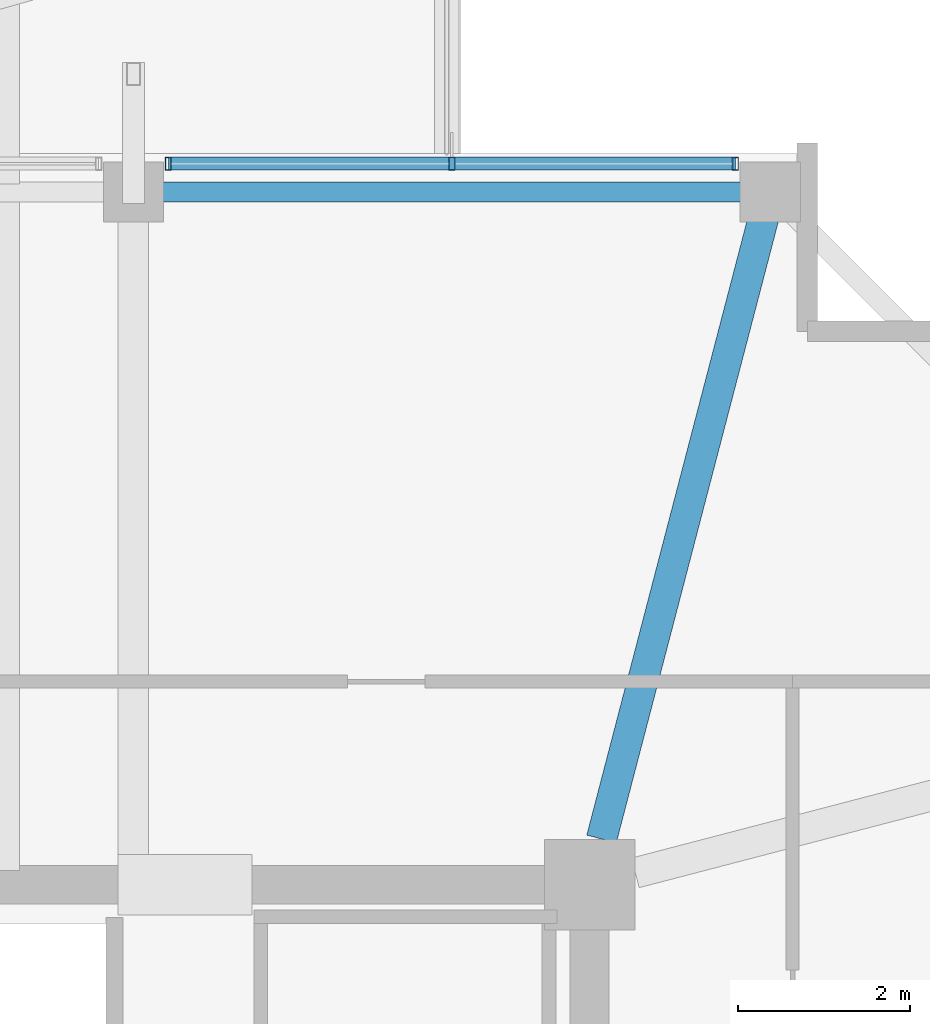
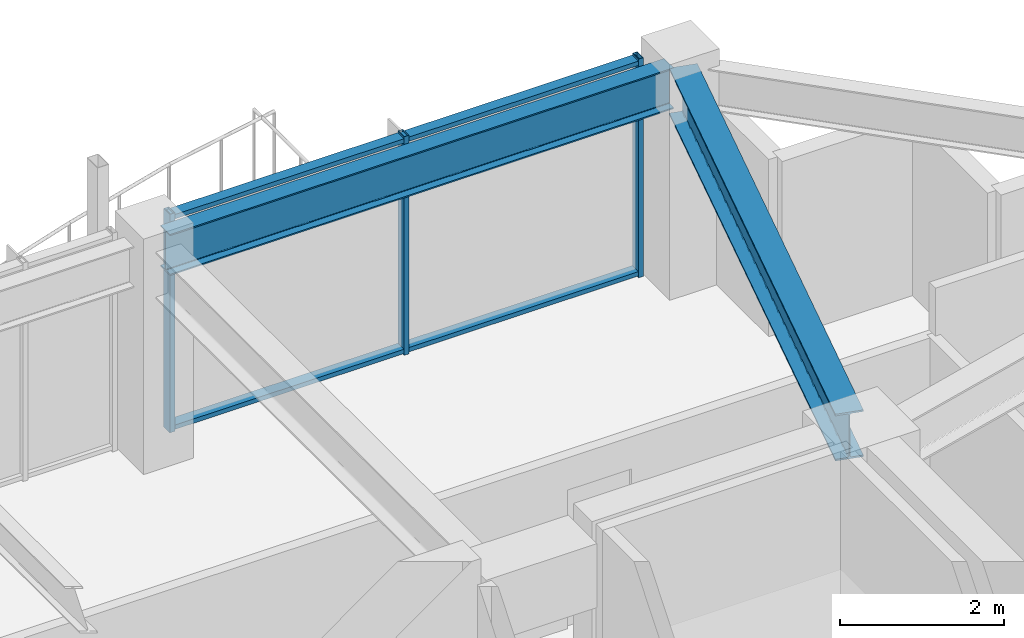
# One storey, part 17 of 31: 5 members, 2 beams, 1 element without a shape of its own.
"""IFC4 building model written with IfcOpenShell, lengths in metres."""

from ifc_helpers import new_model, si_unit, direction, frame, origin, origin_2d, place, context, subcontext, project, spatial, hollow_rectangle, i_section, extrude, material, material_profile, profile_set, type_object, element, aggregate, save


model = new_model("IFC4")

# Units and contexts
model_context = context("Model", 3, precision=1e-05, world=origin(), true_north=direction((0.0, 1.0)))
body_context = subcontext(model_context, "Body", "Model", "MODEL_VIEW")
ifc_project = project(units=[si_unit("LENGTHUNIT", "METRE"), si_unit("AREAUNIT", "SQUARE_METRE"), si_unit("VOLUMEUNIT", "CUBIC_METRE"), si_unit("PLANEANGLEUNIT", "RADIAN"), si_unit("MASSUNIT", "GRAM", prefix="KILO")], contexts=[model_context])

# Site, building, storey
site_placement = place(None, origin())
site = spatial("IfcSite", under=ifc_project, at=site_placement, CompositionType="ELEMENT")
building_placement = place(site_placement, origin())
building = spatial("IfcBuilding", under=site, at=building_placement, Name="Kolvaren Belvedere", CompositionType="ELEMENT")
storey_placement = place(building_placement, frame((0.0, 0.0, 247.89990234375)))
storey = spatial("IfcBuildingStorey", under=building, at=storey_placement, Name="L72", CompositionType="ELEMENT", Elevation=247.89990234375)

# Beams
ifc_material_1 = material(Name="Structural steel ASTM A992 Grade 50", Category="steel")
ifc_material_profile_1 = material_profile(ifc_material_1, i_section(OverallWidth=0.35498046875, OverallDepth=0.696044921875, WebThickness=0.015380859375, FlangeThickness=0.02490234375, FilletRadius=0.02197265625, at=origin_2d()), Name="W27X146")
ifc_profile_set_1 = profile_set([ifc_material_profile_1], Name="Structural steel ASTM A992 Grade 50")
beam_type_1 = type_object("IfcBeamType", Name="BM-GIRD-W27X146", PredefinedType="BEAM", material=ifc_profile_set_1)
beam_1_placement = place(storey_placement, frame((10.038818359375, 10.43212890625, 2.902099609375), z_axis=(0.25241668651, 0.967618631679, 0.0), x_axis=(-0.967618631679, 0.25241668651, 0.0)))
element("IfcBeam", 1, at=beam_1_placement, inside=storey, type_object=beam_type_1, Name="L72 Corner Core-to-Perimeter Girder CC3-N4", PredefinedType="BEAM", context=body_context, shape_type="SweptSolid", body=[
    extrude(i_section(OverallWidth=0.35498046875, OverallDepth=0.696044921875, WebThickness=0.015380859375, FlangeThickness=0.02490234375, FilletRadius=0.02197265625, at=origin_2d()), origin(), (0.0, 0.0, 1.0), 7.62939453125),
])
ifc_material_2 = material(Name="Structural steel ASTM A992 Grade 50", Category="steel")
ifc_material_profile_2 = material_profile(ifc_material_2, i_section(OverallWidth=0.22900390625, OverallDepth=0.612060546875, WebThickness=0.011962890625, FlangeThickness=0.01953125, FilletRadius=0.01806640625, at=origin_2d()), Name="W24X84")
ifc_profile_set_2 = profile_set([ifc_material_profile_2], Name="Structural steel ASTM A992 Grade 50")
beam_type_2 = type_object("IfcBeamType", Name="BM-SPAN-W24X84", PredefinedType="SPANDREL", material=ifc_profile_set_2)
beam_2_placement = place(storey_placement, frame((11.842529296875, 17.949951171875, 2.944091796875), z_axis=(-1.0, 0.0, 0.0), x_axis=(0.0, -1.0, 0.0)))
element("IfcBeam", 2, at=beam_2_placement, inside=storey, type_object=beam_type_2, Name="L72 Perimeter Spandrel N4-N3", PredefinedType="SPANDREL", context=body_context, shape_type="SweptSolid", body=[
    extrude(i_section(OverallWidth=0.22900390625, OverallDepth=0.612060546875, WebThickness=0.011962890625, FlangeThickness=0.01953125, FilletRadius=0.01806640625, at=origin_2d()), origin(), (0.0, 0.0, 1.0), 7.0849609375),
])

# Curtain wall, members
ifc_material_3 = material(Name="Anodised pale-metal aluminium AA 6063-T6", Category="aluminium")
curtain_wall_type = type_object("IfcCurtainWallType", Name="CW-Z5-HIGH", PredefinedType="NOTDEFINED", material=ifc_material_3)
curtain_wall_placement = place(storey_placement, origin())
curtain_wall = element("IfcCurtainWall", 3, at=curtain_wall_placement, inside=storey, type_object=curtain_wall_type, Name="L72 Unitised Curtain Wall FCW-L72-N2-B2", PredefinedType="NOTDEFINED")
ifc_material_4 = material(Name="Anodised pale-metal aluminium AA 6063-T6", Category="aluminium")
ifc_material_profile_3 = material_profile(ifc_material_4, hollow_rectangle(XDim=0.070068359375, YDim=0.14990234375, WallThickness=0.004150390625, at=origin_2d()), Name="ALU-MUL-150X70")
ifc_profile_set_3 = profile_set([ifc_material_profile_3], Name="Anodised pale-metal aluminium AA 6063-T6")
member_type_1 = type_object("IfcMemberType", Name="CW-MUL-150", PredefinedType="MULLION", material=ifc_profile_set_3)
member_1_placement = place(storey_placement, frame((5.0048828125, 18.280029296875, 0.0), z_axis=(0.0, 0.0, 1.0), x_axis=(1.0, 0.0, 0.0)))
member_1 = element("IfcMember", 4, at=member_1_placement, type_object=member_type_1, Name="FCW-L72-N2-B2 Unitised Mullion 1", PredefinedType="MULLION", context=body_context, shape_type="SweptSolid", body=[
    extrude(hollow_rectangle(XDim=0.070068359375, YDim=0.14990234375, WallThickness=0.004150390625, at=origin_2d()), origin(), (0.0, 0.0, 1.0), 3.25),
])
member_2_placement = place(storey_placement, frame((8.300048828125, 18.280029296875, 0.0), z_axis=(0.0, 0.0, 1.0), x_axis=(1.0, 0.0, 0.0)))
member_2 = element("IfcMember", 5, at=member_2_placement, type_object=member_type_1, Name="FCW-L72-N2-B2 Unitised Mullion 2", PredefinedType="MULLION", context=body_context, shape_type="SweptSolid", body=[
    extrude(hollow_rectangle(XDim=0.070068359375, YDim=0.14990234375, WallThickness=0.004150390625, at=origin_2d()), origin(), (0.0, 0.0, 1.0), 3.25),
])
member_3_placement = place(storey_placement, frame((11.594970703125, 18.280029296875, 0.0), z_axis=(0.0, 0.0, 1.0), x_axis=(1.0, 0.0, 0.0)))
member_3 = element("IfcMember", 6, at=member_3_placement, type_object=member_type_1, Name="FCW-L72-N2-B2 Unitised Mullion 3", PredefinedType="MULLION", context=body_context, shape_type="SweptSolid", body=[
    extrude(hollow_rectangle(XDim=0.070068359375, YDim=0.14990234375, WallThickness=0.004150390625, at=origin_2d()), origin(), (0.0, 0.0, 1.0), 3.25),
])
ifc_material_5 = material(Name="Anodised pale-metal aluminium AA 6063-T6", Category="aluminium")
ifc_material_profile_4 = material_profile(ifc_material_5, hollow_rectangle(XDim=0.06494140625, YDim=0.14990234375, WallThickness=0.00390625, at=origin_2d()), Name="ALU-TRN-150X65")
ifc_profile_set_4 = profile_set([ifc_material_profile_4], Name="Anodised pale-metal aluminium AA 6063-T6")
member_type_2 = type_object("IfcMemberType", Name="CW-TRN-150", PredefinedType="USERDEFINED", material=ifc_profile_set_4)
member_4_placement = place(storey_placement, frame((5.0048828125, 18.280029296875, 0.06005859375), z_axis=(1.0, 0.0, 0.0), x_axis=(0.0, 0.0, 1.0)))
member_4 = element("IfcMember", 7, at=member_4_placement, type_object=member_type_2, Name="FCW-L72-N2-B2 Sill Transom", ObjectType="TRANSOM", PredefinedType="USERDEFINED", context=body_context, shape_type="SweptSolid", body=[
    extrude(hollow_rectangle(XDim=0.06494140625, YDim=0.14990234375, WallThickness=0.00390625, at=origin_2d()), origin(), (0.0, 0.0, 1.0), 6.590087890625),
])
member_5_placement = place(storey_placement, frame((5.0048828125, 18.280029296875, 3.190185546875), z_axis=(1.0, 0.0, 0.0), x_axis=(0.0, 0.0, 1.0)))
member_5 = element("IfcMember", 8, at=member_5_placement, type_object=member_type_2, Name="FCW-L72-N2-B2 Head Transom", ObjectType="TRANSOM", PredefinedType="USERDEFINED", context=body_context, shape_type="SweptSolid", body=[
    extrude(hollow_rectangle(XDim=0.06494140625, YDim=0.14990234375, WallThickness=0.00390625, at=origin_2d()), origin(), (0.0, 0.0, 1.0), 6.590087890625),
])
aggregate(curtain_wall, [member_1, member_2, member_3, member_4, member_5])

save(model, "model.ifc")
